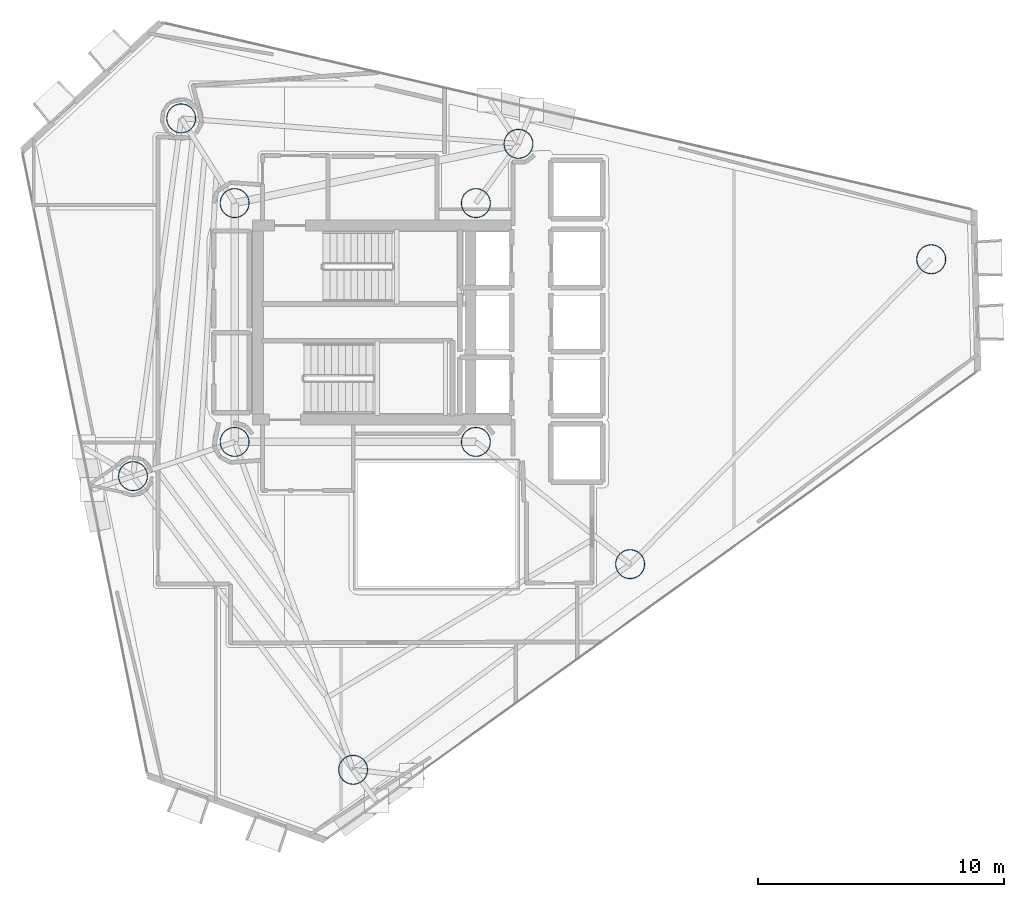
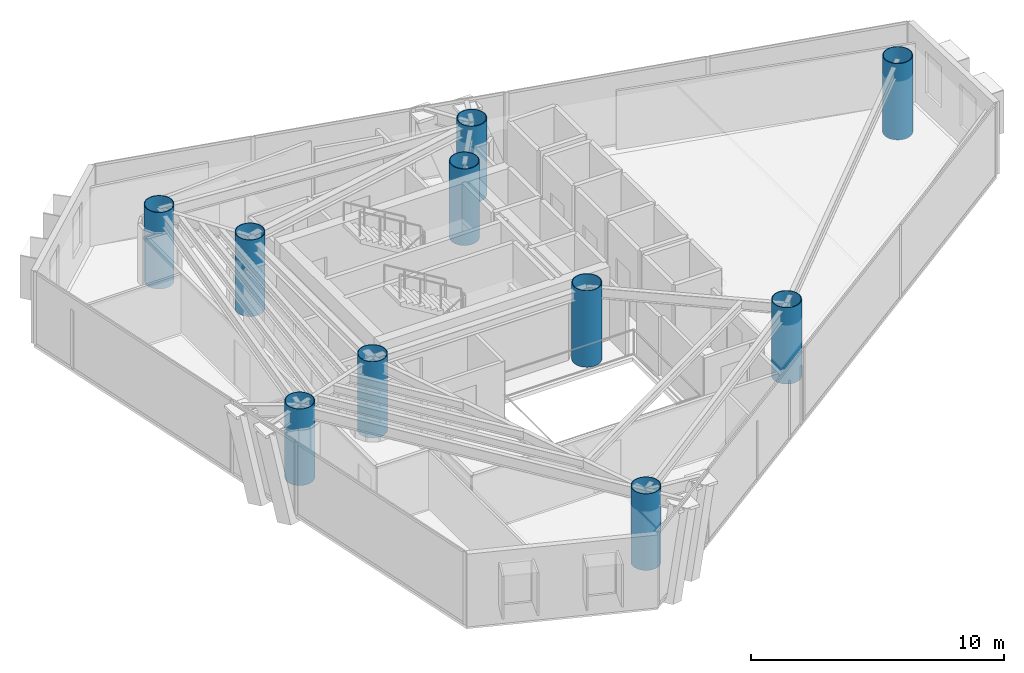
# One storey, part 1 of 22: 10 columns.
"""IFC4 building model written with IfcOpenShell, lengths in metres."""

from ifc_helpers import new_model, si_unit, direction, frame, origin, origin_2d, place, context, subcontext, project, spatial, hollow_circle, extrude, material, material_profile, profile_set, type_object, element, save


model = new_model("IFC4")

# Units and contexts
model_context = context("Model", 3, precision=1e-05, world=origin(), true_north=direction((0.0, 1.0)))
body_context = subcontext(model_context, "Body", "Model", "MODEL_VIEW")
ifc_project = project(units=[si_unit("LENGTHUNIT", "METRE"), si_unit("AREAUNIT", "SQUARE_METRE"), si_unit("VOLUMEUNIT", "CUBIC_METRE"), si_unit("PLANEANGLEUNIT", "RADIAN"), si_unit("MASSUNIT", "GRAM", prefix="KILO")], contexts=[model_context])

# Site, building, storey
site_placement = place(None, origin())
site = spatial("IfcSite", under=ifc_project, at=site_placement, CompositionType="ELEMENT")
building_placement = place(site_placement, origin())
building = spatial("IfcBuilding", under=site, at=building_placement, Name="Qianvela Tower", CompositionType="ELEMENT")
storey_placement = place(building_placement, frame((0.0, 0.0, 196.60009765625)))
storey = spatial("IfcBuildingStorey", under=building, at=storey_placement, Name="L50", CompositionType="ELEMENT", Elevation=196.60009765625)

# Columns
ifc_material = material(Name="Steel Q420GJC", Category="steel")
ifc_material_profile = material_profile(ifc_material, hollow_circle(Radius=0.60009765625, WallThickness=0.030029296875, at=origin_2d()), Name="CFT-1200x30")
ifc_profile_set = profile_set([ifc_material_profile], Name="Steel Q420GJC")
column_type = type_object("IfcColumnType", Name="COL-CFT-1200x30", PredefinedType="COLUMN", material=ifc_profile_set)
for number, where, z_axis, x_axis, name in (
    (1, (28.60009765625, 33.550048828125, 0.0), (0.0, 0.0, 1.0), (1.0, 0.0, 0.0), "L50 Core Corner Mega-Column CC-NW"),
    (2, (28.60009765625, 23.85009765625, 0.0), (0.0, 0.0, 1.0), (1.0, 0.0, 0.0), "L50 Core Corner Mega-Column CC-SW"),
    (3, (38.39990234375, 33.550048828125, 0.0), (0.0, 0.0, 1.0), (1.0, 0.0, 0.0), "L50 Core Corner Mega-Column CC-NE"),
    (4, (38.39990234375, 23.85009765625, 0.0), (0.0, 0.0, 1.0), (1.0, 0.0, 0.0), "L50 Core Corner Mega-Column CC-SE"),
    (5, (56.89697265625, 31.27001953125, 0.0), (0.0, 0.0, 1.0), (1.0, 0.0, 0.0), "L50 Zone Z5 CFT Mega-Column C1"),
    (6, (40.131103515625, 35.9580078125, 0.0), (0.0, 0.0, 1.0), (1.0, 0.0, 0.0), "L50 Zone Z5 CFT Mega-Column C2"),
    (7, (26.430908203125, 36.991943359375, 0.0), (0.0, 0.0, 1.0), (1.0, 0.0, 0.0), "L50 Zone Z5 CFT Mega-Column C3"),
    (8, (24.471923828125, 22.4599609375, 0.0), (0.0, 0.0, 1.0), (1.0, 0.0, 0.0), "L50 Zone Z5 CFT Mega-Column C4"),
    (9, (33.4130859375, 10.531005859375, 0.0), (0.0, 0.0, 1.0), (1.0, 0.0, 0.0), "L50 Zone Z5 CFT Mega-Column C5"),
    (10, (44.6669921875, 18.883056640625, 0.0), (0.0, 0.0, 1.0), (1.0, 0.0, 0.0), "L50 Zone Z5 CFT Mega-Column C6"),
):
    element("IfcColumn", number, at=place(storey_placement, frame(where, z_axis=z_axis, x_axis=x_axis)), inside=storey, type_object=column_type, Name=name, PredefinedType="COLUMN", context=body_context, shape_type="SweptSolid", body=[
        extrude(hollow_circle(Radius=0.60009765625, WallThickness=0.030029296875, at=origin_2d()), origin(), (0.0, 0.0, 1.0), 3.699951171875),
    ])

save(model, "model.ifc")
